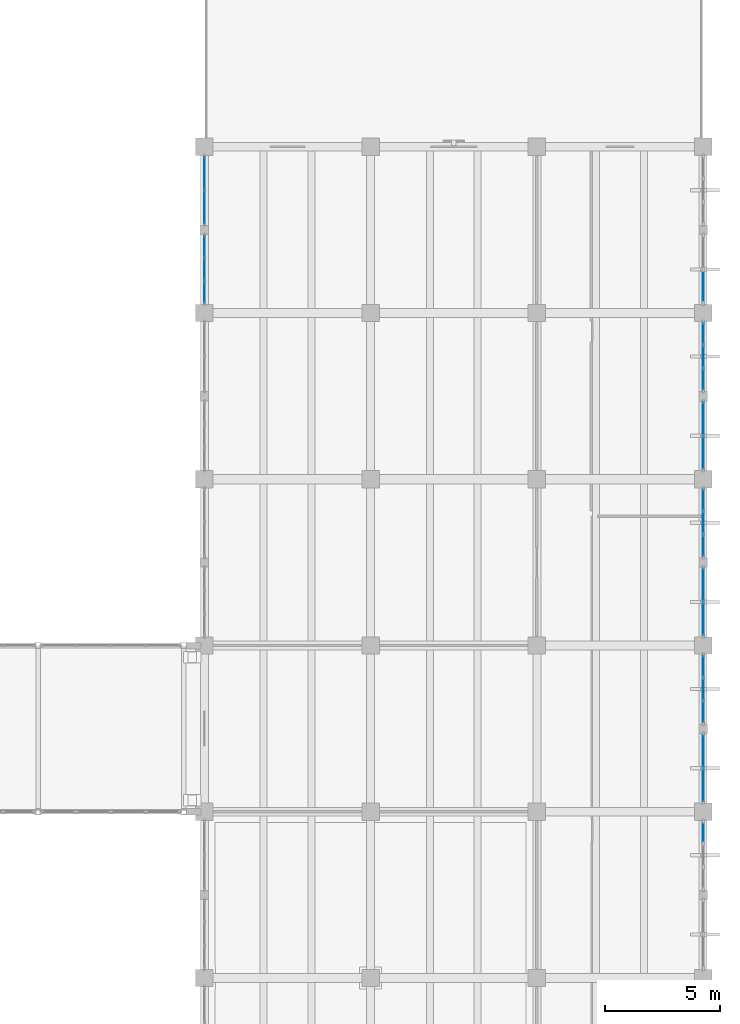
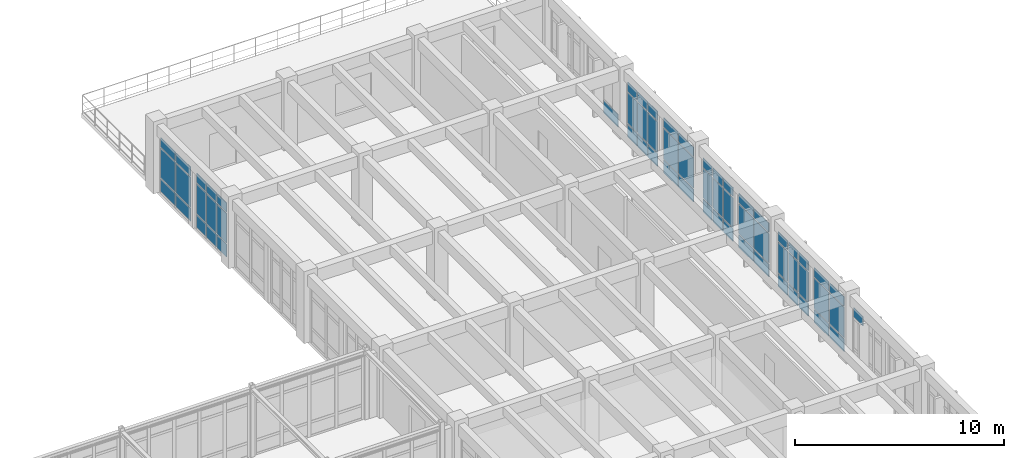
# One storey, part 92 of 136: 62 plates, 10 elements without a shape of their own.
"""IFC4 building model written with IfcOpenShell, lengths in metres."""

from ifc_helpers import new_model, si_unit, direction, frame, origin, origin_2d, place, context, subcontext, project, spatial, rectangle, extrude, material, layer, layer_set, type_object, element, aggregate, save


model = new_model("IFC4")

# Units and contexts
model_context = context("Model", 3, precision=1e-05, world=origin(), true_north=direction((0.0, 1.0)))
body_context = subcontext(model_context, "Body", "Model", "MODEL_VIEW")
ifc_project = project(units=[si_unit("LENGTHUNIT", "METRE"), si_unit("AREAUNIT", "SQUARE_METRE"), si_unit("VOLUMEUNIT", "CUBIC_METRE"), si_unit("PLANEANGLEUNIT", "RADIAN"), si_unit("MASSUNIT", "GRAM", prefix="KILO")], contexts=[model_context])

# Site, building, storey
site_placement = place(None, origin())
site = spatial("IfcSite", under=ifc_project, at=site_placement, CompositionType="ELEMENT")
building_placement = place(site_placement, origin())
building = spatial("IfcBuilding", under=site, at=building_placement, Name="Koriwan Promenade Central Fire Station", CompositionType="ELEMENT")
storey_placement = place(building_placement, frame((0.0, 0.0, 5.39990234375)))
storey = spatial("IfcBuildingStorey", under=building, at=storey_placement, Name="L01", CompositionType="ELEMENT", Elevation=5.39990234375)

# Curtain wall, plates
ifc_material_1 = material(Name="Aluminium EN AW-6063-T6 and low-E glazing", Category="aluminium")
ifc_layer_1 = layer(ifc_material_1, 0.159912109375, Name="Aluminium EN AW-6063-T6 and low-E glazing")
ifc_layer_set_1 = layer_set([ifc_layer_1], Name="Aluminium EN AW-6063-T6 and low-E glazing")
curtain_wall_type_1 = type_object("IfcCurtainWallType", Name="CurtainWall_71_303x330", PredefinedType="USERDEFINED", material=ifc_layer_set_1)
curtain_wall_1_placement = place(storey_placement, origin())
curtain_wall_1 = element("IfcCurtainWall", 1, at=curtain_wall_1_placement, inside=storey, type_object=curtain_wall_type_1, Name="V5 L01 unitised curtain wall 187", ObjectType="UNITISED CURTAIN WALL", PredefinedType="USERDEFINED")
ifc_material_2 = material(Name="Solar-control low-E acoustic glazing", Category="glass")
ifc_layer_2 = layer(ifc_material_2, 0.031982421875, Name="Solar-control low-E acoustic glazing")
ifc_layer_set_2 = layer_set([ifc_layer_2], Name="Solar-control low-E acoustic glazing")
plate_type = type_object("IfcPlateType", Name="CWPanel_32", PredefinedType="CURTAIN_PANEL", material=ifc_layer_set_2)
plate_1_placement = place(storey_placement, frame((151.199951171875, 65.697998046875, 0.0751953125), z_axis=(0.0, 0.0, 1.0), x_axis=(0.0, 1.0, 0.0)))
plate_1 = element("IfcPlate", 2, at=plate_1_placement, type_object=plate_type, Name="CW-71 panel 1.1", PredefinedType="CURTAIN_PANEL", context=body_context, shape_type="SweptSolid", body=[
    extrude(rectangle(XDim=0.895751953125, YDim=0.031982421875, at=origin_2d()), origin(), (0.0, 0.0, 1.0), 0.737548828125),
])
plate_2_placement = place(storey_placement, frame((151.199951171875, 65.697998046875, 0.887451171875), z_axis=(0.0, 0.0, 1.0), x_axis=(0.0, 1.0, 0.0)))
plate_2 = element("IfcPlate", 3, at=plate_2_placement, type_object=plate_type, Name="CW-71 panel 1.2", PredefinedType="CURTAIN_PANEL", context=body_context, shape_type="SweptSolid", body=[
    extrude(rectangle(XDim=0.895751953125, YDim=0.031982421875, at=origin_2d()), origin(), (0.0, 0.0, 1.0), 1.72509765625),
])
plate_3_placement = place(storey_placement, frame((151.199951171875, 65.697998046875, 2.6875), z_axis=(0.0, 0.0, 1.0), x_axis=(0.0, 1.0, 0.0)))
plate_3 = element("IfcPlate", 4, at=plate_3_placement, type_object=plate_type, Name="CW-71 panel 1.3", PredefinedType="CURTAIN_PANEL", context=body_context, shape_type="SweptSolid", body=[
    extrude(rectangle(XDim=0.895751953125, YDim=0.031982421875, at=origin_2d()), origin(), (0.0, 0.0, 1.0), 0.53759765625),
])
plate_4_placement = place(storey_placement, frame((151.199951171875, 66.6875, 0.0751953125), z_axis=(0.0, 0.0, 1.0), x_axis=(0.0, 1.0, 0.0)))
plate_4 = element("IfcPlate", 5, at=plate_4_placement, type_object=plate_type, Name="CW-71 panel 2.1", PredefinedType="CURTAIN_PANEL", context=body_context, shape_type="SweptSolid", body=[
    extrude(rectangle(XDim=0.933349609375, YDim=0.031982421875, at=origin_2d()), origin(), (0.0, 0.0, 1.0), 0.737548828125),
])
plate_5_placement = place(storey_placement, frame((151.199951171875, 66.6875, 0.887451171875), z_axis=(0.0, 0.0, 1.0), x_axis=(0.0, 1.0, 0.0)))
plate_5 = element("IfcPlate", 6, at=plate_5_placement, type_object=plate_type, Name="CW-71 panel 2.2", PredefinedType="CURTAIN_PANEL", context=body_context, shape_type="SweptSolid", body=[
    extrude(rectangle(XDim=0.933349609375, YDim=0.031982421875, at=origin_2d()), origin(), (0.0, 0.0, 1.0), 1.72509765625),
])
plate_6_placement = place(storey_placement, frame((151.199951171875, 66.6875, 2.6875), z_axis=(0.0, 0.0, 1.0), x_axis=(0.0, 1.0, 0.0)))
plate_6 = element("IfcPlate", 7, at=plate_6_placement, type_object=plate_type, Name="CW-71 panel 2.3", PredefinedType="CURTAIN_PANEL", context=body_context, shape_type="SweptSolid", body=[
    extrude(rectangle(XDim=0.933349609375, YDim=0.031982421875, at=origin_2d()), origin(), (0.0, 0.0, 1.0), 0.53759765625),
])
plate_7_placement = place(storey_placement, frame((151.199951171875, 67.677001953125, 0.0751953125), z_axis=(0.0, 0.0, 1.0), x_axis=(0.0, 1.0, 0.0)))
plate_7 = element("IfcPlate", 8, at=plate_7_placement, type_object=plate_type, Name="CW-71 panel 3.1", PredefinedType="CURTAIN_PANEL", context=body_context, shape_type="SweptSolid", body=[
    extrude(rectangle(XDim=0.895751953125, YDim=0.031982421875, at=origin_2d()), origin(), (0.0, 0.0, 1.0), 0.737548828125),
])
plate_8_placement = place(storey_placement, frame((151.199951171875, 67.677001953125, 0.887451171875), z_axis=(0.0, 0.0, 1.0), x_axis=(0.0, 1.0, 0.0)))
plate_8 = element("IfcPlate", 9, at=plate_8_placement, type_object=plate_type, Name="CW-71 panel 3.2", PredefinedType="CURTAIN_PANEL", context=body_context, shape_type="SweptSolid", body=[
    extrude(rectangle(XDim=0.895751953125, YDim=0.031982421875, at=origin_2d()), origin(), (0.0, 0.0, 1.0), 1.72509765625),
])
plate_9_placement = place(storey_placement, frame((151.199951171875, 67.677001953125, 2.6875), z_axis=(0.0, 0.0, 1.0), x_axis=(0.0, 1.0, 0.0)))
plate_9 = element("IfcPlate", 10, at=plate_9_placement, type_object=plate_type, Name="CW-71 panel 3.3", PredefinedType="CURTAIN_PANEL", context=body_context, shape_type="SweptSolid", body=[
    extrude(rectangle(XDim=0.895751953125, YDim=0.031982421875, at=origin_2d()), origin(), (0.0, 0.0, 1.0), 0.53759765625),
])
aggregate(curtain_wall_1, [plate_1, plate_2, plate_3, plate_4, plate_5, plate_6, plate_7, plate_8, plate_9])

ifc_layer_3 = layer(ifc_material_1, 0.159912109375, Name="Aluminium EN AW-6063-T6 and low-E glazing")
ifc_layer_set_3 = layer_set([ifc_layer_3], Name="Aluminium EN AW-6063-T6 and low-E glazing")
curtain_wall_type_2 = type_object("IfcCurtainWallType", Name="CurtainWall_72_303x330", PredefinedType="USERDEFINED", material=ifc_layer_set_3)
curtain_wall_2_placement = place(storey_placement, origin())
curtain_wall_2 = element("IfcCurtainWall", 11, at=curtain_wall_2_placement, inside=storey, type_object=curtain_wall_type_2, Name="V5 L01 unitised curtain wall 188", ObjectType="UNITISED CURTAIN WALL", PredefinedType="USERDEFINED")
plate_10_placement = place(storey_placement, frame((151.199951171875, 69.375, 0.0751953125), z_axis=(0.0, 0.0, 1.0), x_axis=(0.0, 1.0, 0.0)))
plate_10 = element("IfcPlate", 12, at=plate_10_placement, type_object=plate_type, Name="CW-72 panel 1.1", PredefinedType="CURTAIN_PANEL", context=body_context, shape_type="SweptSolid", body=[
    extrude(rectangle(XDim=1.39990234375, YDim=0.031982421875, at=origin_2d()), origin(), (0.0, 0.0, 1.0), 0.737548828125),
])
plate_11_placement = place(storey_placement, frame((151.199951171875, 69.375, 0.887451171875), z_axis=(0.0, 0.0, 1.0), x_axis=(0.0, 1.0, 0.0)))
plate_11 = element("IfcPlate", 13, at=plate_11_placement, type_object=plate_type, Name="CW-72 panel 1.2", PredefinedType="CURTAIN_PANEL", context=body_context, shape_type="SweptSolid", body=[
    extrude(rectangle(XDim=1.39990234375, YDim=0.031982421875, at=origin_2d()), origin(), (0.0, 0.0, 1.0), 1.72509765625),
])
plate_12_placement = place(storey_placement, frame((151.199951171875, 69.375, 2.6875), z_axis=(0.0, 0.0, 1.0), x_axis=(0.0, 1.0, 0.0)))
plate_12 = element("IfcPlate", 14, at=plate_12_placement, type_object=plate_type, Name="CW-72 panel 1.3", PredefinedType="CURTAIN_PANEL", context=body_context, shape_type="SweptSolid", body=[
    extrude(rectangle(XDim=1.39990234375, YDim=0.031982421875, at=origin_2d()), origin(), (0.0, 0.0, 1.0), 0.53759765625),
])
plate_13_placement = place(storey_placement, frame((151.199951171875, 70.85009765625, 0.0751953125), z_axis=(0.0, 0.0, 1.0), x_axis=(0.0, 1.0, 0.0)))
plate_13 = element("IfcPlate", 15, at=plate_13_placement, type_object=plate_type, Name="CW-72 panel 2.1", PredefinedType="CURTAIN_PANEL", context=body_context, shape_type="SweptSolid", body=[
    extrude(rectangle(XDim=1.39990234375, YDim=0.031982421875, at=origin_2d()), origin(), (0.0, 0.0, 1.0), 0.737548828125),
])
plate_14_placement = place(storey_placement, frame((151.199951171875, 70.85009765625, 0.887451171875), z_axis=(0.0, 0.0, 1.0), x_axis=(0.0, 1.0, 0.0)))
plate_14 = element("IfcPlate", 16, at=plate_14_placement, type_object=plate_type, Name="CW-72 panel 2.2", PredefinedType="CURTAIN_PANEL", context=body_context, shape_type="SweptSolid", body=[
    extrude(rectangle(XDim=1.39990234375, YDim=0.031982421875, at=origin_2d()), origin(), (0.0, 0.0, 1.0), 1.72509765625),
])
plate_15_placement = place(storey_placement, frame((151.199951171875, 70.85009765625, 2.6875), z_axis=(0.0, 0.0, 1.0), x_axis=(0.0, 1.0, 0.0)))
plate_15 = element("IfcPlate", 17, at=plate_15_placement, type_object=plate_type, Name="CW-72 panel 2.3", PredefinedType="CURTAIN_PANEL", context=body_context, shape_type="SweptSolid", body=[
    extrude(rectangle(XDim=1.39990234375, YDim=0.031982421875, at=origin_2d()), origin(), (0.0, 0.0, 1.0), 0.53759765625),
])
aggregate(curtain_wall_2, [plate_10, plate_11, plate_12, plate_13, plate_14, plate_15])

# Curtain wall, plate
curtain_wall_3_placement = place(storey_placement, origin())
curtain_wall_3 = element("IfcCurtainWall", 18, at=curtain_wall_3_placement, inside=storey, type_object=curtain_wall_type_2, Name="V5 L01 unitised curtain wall 190", ObjectType="UNITISED CURTAIN WALL", PredefinedType="USERDEFINED")
plate_16_placement = place(storey_placement, frame((172.800048828125, 65.949951171875, 0.0751953125), z_axis=(0.0, 0.0, 1.0), x_axis=(0.0, -1.0, 0.0)))
plate_16 = element("IfcPlate", 19, at=plate_16_placement, type_object=plate_type, Name="CW-72 panel 2.1", PredefinedType="CURTAIN_PANEL", context=body_context, shape_type="SweptSolid", body=[
    extrude(rectangle(XDim=1.39990234375, YDim=0.031982421875, at=origin_2d()), origin(), (0.0, 0.0, 1.0), 0.737548828125),
])
aggregate(curtain_wall_3, [plate_16])

# Curtain wall, plates
ifc_layer_4 = layer(ifc_material_1, 0.159912109375, Name="Aluminium EN AW-6063-T6 and low-E glazing")
ifc_layer_set_4 = layer_set([ifc_layer_4], Name="Aluminium EN AW-6063-T6 and low-E glazing")
curtain_wall_type_3 = type_object("IfcCurtainWallType", Name="CurtainWall_69_302x335", PredefinedType="USERDEFINED", material=ifc_layer_set_4)
curtain_wall_4_placement = place(storey_placement, origin())
curtain_wall_4 = element("IfcCurtainWall", 20, at=curtain_wall_4_placement, inside=storey, type_object=curtain_wall_type_3, Name="V5 L01 unitised curtain wall 191", ObjectType="UNITISED CURTAIN WALL", PredefinedType="USERDEFINED")
plate_17_placement = place(storey_placement, frame((172.800048828125, 63.902099609375, 0.0751953125), z_axis=(0.0, 0.0, 1.0), x_axis=(0.0, -1.0, 0.0)))
plate_17 = element("IfcPlate", 21, at=plate_17_placement, type_object=plate_type, Name="CW-69 panel 1.1", PredefinedType="CURTAIN_PANEL", context=body_context, shape_type="SweptSolid", body=[
    extrude(rectangle(XDim=0.895751953125, YDim=0.031982421875, at=origin_2d()), origin(), (0.0, 0.0, 1.0), 0.737548828125),
])
plate_18_placement = place(storey_placement, frame((172.800048828125, 63.902099609375, 0.8876953125), z_axis=(0.0, 0.0, 1.0), x_axis=(0.0, -1.0, 0.0)))
plate_18 = element("IfcPlate", 22, at=plate_18_placement, type_object=plate_type, Name="CW-69 panel 1.2", PredefinedType="CURTAIN_PANEL", context=body_context, shape_type="SweptSolid", body=[
    extrude(rectangle(XDim=0.895751953125, YDim=0.031982421875, at=origin_2d()), origin(), (0.0, 0.0, 1.0), 1.77490234375),
])
plate_19_placement = place(storey_placement, frame((172.800048828125, 63.902099609375, 2.737548828125), z_axis=(0.0, 0.0, 1.0), x_axis=(0.0, -1.0, 0.0)))
plate_19 = element("IfcPlate", 23, at=plate_19_placement, type_object=plate_type, Name="CW-69 panel 1.3", PredefinedType="CURTAIN_PANEL", context=body_context, shape_type="SweptSolid", body=[
    extrude(rectangle(XDim=0.895751953125, YDim=0.031982421875, at=origin_2d()), origin(), (0.0, 0.0, 1.0), 0.53759765625),
])
plate_20_placement = place(storey_placement, frame((172.800048828125, 62.91259765625, 0.0751953125), z_axis=(0.0, 0.0, 1.0), x_axis=(0.0, -1.0, 0.0)))
plate_20 = element("IfcPlate", 24, at=plate_20_placement, type_object=plate_type, Name="CW-69 panel 2.1", PredefinedType="CURTAIN_PANEL", context=body_context, shape_type="SweptSolid", body=[
    extrude(rectangle(XDim=0.933349609375, YDim=0.031982421875, at=origin_2d()), origin(), (0.0, 0.0, 1.0), 0.737548828125),
])
plate_21_placement = place(storey_placement, frame((172.800048828125, 62.91259765625, 0.8876953125), z_axis=(0.0, 0.0, 1.0), x_axis=(0.0, -1.0, 0.0)))
plate_21 = element("IfcPlate", 25, at=plate_21_placement, type_object=plate_type, Name="CW-69 panel 2.2", PredefinedType="CURTAIN_PANEL", context=body_context, shape_type="SweptSolid", body=[
    extrude(rectangle(XDim=0.933349609375, YDim=0.031982421875, at=origin_2d()), origin(), (0.0, 0.0, 1.0), 1.77490234375),
])
plate_22_placement = place(storey_placement, frame((172.800048828125, 62.91259765625, 2.737548828125), z_axis=(0.0, 0.0, 1.0), x_axis=(0.0, -1.0, 0.0)))
plate_22 = element("IfcPlate", 26, at=plate_22_placement, type_object=plate_type, Name="CW-69 panel 2.3", PredefinedType="CURTAIN_PANEL", context=body_context, shape_type="SweptSolid", body=[
    extrude(rectangle(XDim=0.933349609375, YDim=0.031982421875, at=origin_2d()), origin(), (0.0, 0.0, 1.0), 0.53759765625),
])
plate_23_placement = place(storey_placement, frame((172.800048828125, 61.9228515625, 0.0751953125), z_axis=(0.0, 0.0, 1.0), x_axis=(0.0, -1.0, 0.0)))
plate_23 = element("IfcPlate", 27, at=plate_23_placement, type_object=plate_type, Name="CW-69 panel 3.1", PredefinedType="CURTAIN_PANEL", context=body_context, shape_type="SweptSolid", body=[
    extrude(rectangle(XDim=0.895751953125, YDim=0.031982421875, at=origin_2d()), origin(), (0.0, 0.0, 1.0), 0.737548828125),
])
plate_24_placement = place(storey_placement, frame((172.800048828125, 61.9228515625, 0.8876953125), z_axis=(0.0, 0.0, 1.0), x_axis=(0.0, -1.0, 0.0)))
plate_24 = element("IfcPlate", 28, at=plate_24_placement, type_object=plate_type, Name="CW-69 panel 3.2", PredefinedType="CURTAIN_PANEL", context=body_context, shape_type="SweptSolid", body=[
    extrude(rectangle(XDim=0.895751953125, YDim=0.031982421875, at=origin_2d()), origin(), (0.0, 0.0, 1.0), 1.77490234375),
])
plate_25_placement = place(storey_placement, frame((172.800048828125, 61.9228515625, 2.737548828125), z_axis=(0.0, 0.0, 1.0), x_axis=(0.0, -1.0, 0.0)))
plate_25 = element("IfcPlate", 29, at=plate_25_placement, type_object=plate_type, Name="CW-69 panel 3.3", PredefinedType="CURTAIN_PANEL", context=body_context, shape_type="SweptSolid", body=[
    extrude(rectangle(XDim=0.895751953125, YDim=0.031982421875, at=origin_2d()), origin(), (0.0, 0.0, 1.0), 0.53759765625),
])
aggregate(curtain_wall_4, [plate_17, plate_18, plate_19, plate_20, plate_21, plate_22, plate_23, plate_24, plate_25])

ifc_layer_5 = layer(ifc_material_1, 0.159912109375, Name="Aluminium EN AW-6063-T6 and low-E glazing")
ifc_layer_set_5 = layer_set([ifc_layer_5], Name="Aluminium EN AW-6063-T6 and low-E glazing")
curtain_wall_type_4 = type_object("IfcCurtainWallType", Name="CurtainWall_70_302x335", PredefinedType="USERDEFINED", material=ifc_layer_set_5)
curtain_wall_5_placement = place(storey_placement, origin())
curtain_wall_5 = element("IfcCurtainWall", 30, at=curtain_wall_5_placement, inside=storey, type_object=curtain_wall_type_4, Name="V5 L01 unitised curtain wall 192", ObjectType="UNITISED CURTAIN WALL", PredefinedType="USERDEFINED")
plate_26_placement = place(storey_placement, frame((172.800048828125, 60.22509765625, 0.0751953125), z_axis=(0.0, 0.0, 1.0), x_axis=(0.0, -1.0, 0.0)))
plate_26 = element("IfcPlate", 31, at=plate_26_placement, type_object=plate_type, Name="CW-70 panel 1.1", PredefinedType="CURTAIN_PANEL", context=body_context, shape_type="SweptSolid", body=[
    extrude(rectangle(XDim=1.39990234375, YDim=0.031982421875, at=origin_2d()), origin(), (0.0, 0.0, 1.0), 0.737548828125),
])
plate_27_placement = place(storey_placement, frame((172.800048828125, 60.22509765625, 0.8876953125), z_axis=(0.0, 0.0, 1.0), x_axis=(0.0, -1.0, 0.0)))
plate_27 = element("IfcPlate", 32, at=plate_27_placement, type_object=plate_type, Name="CW-70 panel 1.2", PredefinedType="CURTAIN_PANEL", context=body_context, shape_type="SweptSolid", body=[
    extrude(rectangle(XDim=1.39990234375, YDim=0.031982421875, at=origin_2d()), origin(), (0.0, 0.0, 1.0), 1.77490234375),
])
plate_28_placement = place(storey_placement, frame((172.800048828125, 60.22509765625, 2.737548828125), z_axis=(0.0, 0.0, 1.0), x_axis=(0.0, -1.0, 0.0)))
plate_28 = element("IfcPlate", 33, at=plate_28_placement, type_object=plate_type, Name="CW-70 panel 1.3", PredefinedType="CURTAIN_PANEL", context=body_context, shape_type="SweptSolid", body=[
    extrude(rectangle(XDim=1.39990234375, YDim=0.031982421875, at=origin_2d()), origin(), (0.0, 0.0, 1.0), 0.53759765625),
])
plate_29_placement = place(storey_placement, frame((172.800048828125, 58.75, 0.0751953125), z_axis=(0.0, 0.0, 1.0), x_axis=(0.0, -1.0, 0.0)))
plate_29 = element("IfcPlate", 34, at=plate_29_placement, type_object=plate_type, Name="CW-70 panel 2.1", PredefinedType="CURTAIN_PANEL", context=body_context, shape_type="SweptSolid", body=[
    extrude(rectangle(XDim=1.39990234375, YDim=0.031982421875, at=origin_2d()), origin(), (0.0, 0.0, 1.0), 0.737548828125),
])
plate_30_placement = place(storey_placement, frame((172.800048828125, 58.75, 0.8876953125), z_axis=(0.0, 0.0, 1.0), x_axis=(0.0, -1.0, 0.0)))
plate_30 = element("IfcPlate", 35, at=plate_30_placement, type_object=plate_type, Name="CW-70 panel 2.2", PredefinedType="CURTAIN_PANEL", context=body_context, shape_type="SweptSolid", body=[
    extrude(rectangle(XDim=1.39990234375, YDim=0.031982421875, at=origin_2d()), origin(), (0.0, 0.0, 1.0), 1.77490234375),
])
plate_31_placement = place(storey_placement, frame((172.800048828125, 58.75, 2.737548828125), z_axis=(0.0, 0.0, 1.0), x_axis=(0.0, -1.0, 0.0)))
plate_31 = element("IfcPlate", 36, at=plate_31_placement, type_object=plate_type, Name="CW-70 panel 2.3", PredefinedType="CURTAIN_PANEL", context=body_context, shape_type="SweptSolid", body=[
    extrude(rectangle(XDim=1.39990234375, YDim=0.031982421875, at=origin_2d()), origin(), (0.0, 0.0, 1.0), 0.53759765625),
])
aggregate(curtain_wall_5, [plate_26, plate_27, plate_28, plate_29, plate_30, plate_31])

ifc_layer_6 = layer(ifc_material_1, 0.159912109375, Name="Aluminium EN AW-6063-T6 and low-E glazing")
ifc_layer_set_6 = layer_set([ifc_layer_6], Name="Aluminium EN AW-6063-T6 and low-E glazing")
curtain_wall_type_5 = type_object("IfcCurtainWallType", Name="CurtainWall_62_302x329", PredefinedType="USERDEFINED", material=ifc_layer_set_6)
curtain_wall_6_placement = place(storey_placement, origin())
curtain_wall_6 = element("IfcCurtainWall", 37, at=curtain_wall_6_placement, inside=storey, type_object=curtain_wall_type_5, Name="V5 L01 unitised curtain wall 193", ObjectType="UNITISED CURTAIN WALL", PredefinedType="USERDEFINED")
plate_32_placement = place(storey_placement, frame((172.800048828125, 56.7021484375, 0.0751953125), z_axis=(0.0, 0.0, 1.0), x_axis=(0.0, -1.0, 0.0)))
plate_32 = element("IfcPlate", 38, at=plate_32_placement, type_object=plate_type, Name="CW-62 panel 1.1", PredefinedType="CURTAIN_PANEL", context=body_context, shape_type="SweptSolid", body=[
    extrude(rectangle(XDim=0.895751953125, YDim=0.031982421875, at=origin_2d()), origin(), (0.0, 0.0, 1.0), 0.737548828125),
])
plate_33_placement = place(storey_placement, frame((172.800048828125, 56.7021484375, 0.8876953125), z_axis=(0.0, 0.0, 1.0), x_axis=(0.0, -1.0, 0.0)))
plate_33 = element("IfcPlate", 39, at=plate_33_placement, type_object=plate_type, Name="CW-62 panel 1.2", PredefinedType="CURTAIN_PANEL", context=body_context, shape_type="SweptSolid", body=[
    extrude(rectangle(XDim=0.895751953125, YDim=0.031982421875, at=origin_2d()), origin(), (0.0, 0.0, 1.0), 1.715087890625),
])
plate_34_placement = place(storey_placement, frame((172.800048828125, 56.7021484375, 2.677490234375), z_axis=(0.0, 0.0, 1.0), x_axis=(0.0, -1.0, 0.0)))
plate_34 = element("IfcPlate", 40, at=plate_34_placement, type_object=plate_type, Name="CW-62 panel 1.3", PredefinedType="CURTAIN_PANEL", context=body_context, shape_type="SweptSolid", body=[
    extrude(rectangle(XDim=0.895751953125, YDim=0.031982421875, at=origin_2d()), origin(), (0.0, 0.0, 1.0), 0.53759765625),
])
plate_35_placement = place(storey_placement, frame((172.800048828125, 55.71240234375, 0.0751953125), z_axis=(0.0, 0.0, 1.0), x_axis=(0.0, -1.0, 0.0)))
plate_35 = element("IfcPlate", 41, at=plate_35_placement, type_object=plate_type, Name="CW-62 panel 2.1", PredefinedType="CURTAIN_PANEL", context=body_context, shape_type="SweptSolid", body=[
    extrude(rectangle(XDim=0.933349609375, YDim=0.031982421875, at=origin_2d()), origin(), (0.0, 0.0, 1.0), 0.737548828125),
])
plate_36_placement = place(storey_placement, frame((172.800048828125, 55.71240234375, 0.8876953125), z_axis=(0.0, 0.0, 1.0), x_axis=(0.0, -1.0, 0.0)))
plate_36 = element("IfcPlate", 42, at=plate_36_placement, type_object=plate_type, Name="CW-62 panel 2.2", PredefinedType="CURTAIN_PANEL", context=body_context, shape_type="SweptSolid", body=[
    extrude(rectangle(XDim=0.933349609375, YDim=0.031982421875, at=origin_2d()), origin(), (0.0, 0.0, 1.0), 1.715087890625),
])
plate_37_placement = place(storey_placement, frame((172.800048828125, 55.71240234375, 2.677490234375), z_axis=(0.0, 0.0, 1.0), x_axis=(0.0, -1.0, 0.0)))
plate_37 = element("IfcPlate", 43, at=plate_37_placement, type_object=plate_type, Name="CW-62 panel 2.3", PredefinedType="CURTAIN_PANEL", context=body_context, shape_type="SweptSolid", body=[
    extrude(rectangle(XDim=0.933349609375, YDim=0.031982421875, at=origin_2d()), origin(), (0.0, 0.0, 1.0), 0.53759765625),
])
plate_38_placement = place(storey_placement, frame((172.800048828125, 54.722900390625, 0.0751953125), z_axis=(0.0, 0.0, 1.0), x_axis=(0.0, -1.0, 0.0)))
plate_38 = element("IfcPlate", 44, at=plate_38_placement, type_object=plate_type, Name="CW-62 panel 3.1", PredefinedType="CURTAIN_PANEL", context=body_context, shape_type="SweptSolid", body=[
    extrude(rectangle(XDim=0.895751953125, YDim=0.031982421875, at=origin_2d()), origin(), (0.0, 0.0, 1.0), 0.737548828125),
])
plate_39_placement = place(storey_placement, frame((172.800048828125, 54.722900390625, 0.8876953125), z_axis=(0.0, 0.0, 1.0), x_axis=(0.0, -1.0, 0.0)))
plate_39 = element("IfcPlate", 45, at=plate_39_placement, type_object=plate_type, Name="CW-62 panel 3.2", PredefinedType="CURTAIN_PANEL", context=body_context, shape_type="SweptSolid", body=[
    extrude(rectangle(XDim=0.895751953125, YDim=0.031982421875, at=origin_2d()), origin(), (0.0, 0.0, 1.0), 1.715087890625),
])
plate_40_placement = place(storey_placement, frame((172.800048828125, 54.722900390625, 2.677490234375), z_axis=(0.0, 0.0, 1.0), x_axis=(0.0, -1.0, 0.0)))
plate_40 = element("IfcPlate", 46, at=plate_40_placement, type_object=plate_type, Name="CW-62 panel 3.3", PredefinedType="CURTAIN_PANEL", context=body_context, shape_type="SweptSolid", body=[
    extrude(rectangle(XDim=0.895751953125, YDim=0.031982421875, at=origin_2d()), origin(), (0.0, 0.0, 1.0), 0.53759765625),
])
aggregate(curtain_wall_6, [plate_32, plate_33, plate_34, plate_35, plate_36, plate_37, plate_38, plate_39, plate_40])

ifc_layer_7 = layer(ifc_material_1, 0.159912109375, Name="Aluminium EN AW-6063-T6 and low-E glazing")
ifc_layer_set_7 = layer_set([ifc_layer_7], Name="Aluminium EN AW-6063-T6 and low-E glazing")
curtain_wall_type_6 = type_object("IfcCurtainWallType", Name="CurtainWall_07_302x329", PredefinedType="USERDEFINED", material=ifc_layer_set_7)
curtain_wall_7_placement = place(storey_placement, origin())
curtain_wall_7 = element("IfcCurtainWall", 47, at=curtain_wall_7_placement, inside=storey, type_object=curtain_wall_type_6, Name="V5 L01 unitised curtain wall 194", ObjectType="UNITISED CURTAIN WALL", PredefinedType="USERDEFINED")
plate_41_placement = place(storey_placement, frame((172.800048828125, 53.02490234375, 0.0751953125), z_axis=(0.0, 0.0, 1.0), x_axis=(0.0, -1.0, 0.0)))
plate_41 = element("IfcPlate", 48, at=plate_41_placement, type_object=plate_type, Name="CW-07 panel 1.1", PredefinedType="CURTAIN_PANEL", context=body_context, shape_type="SweptSolid", body=[
    extrude(rectangle(XDim=1.39990234375, YDim=0.031982421875, at=origin_2d()), origin(), (0.0, 0.0, 1.0), 0.737548828125),
])
plate_42_placement = place(storey_placement, frame((172.800048828125, 53.02490234375, 0.8876953125), z_axis=(0.0, 0.0, 1.0), x_axis=(0.0, -1.0, 0.0)))
plate_42 = element("IfcPlate", 49, at=plate_42_placement, type_object=plate_type, Name="CW-07 panel 1.2", PredefinedType="CURTAIN_PANEL", context=body_context, shape_type="SweptSolid", body=[
    extrude(rectangle(XDim=1.39990234375, YDim=0.031982421875, at=origin_2d()), origin(), (0.0, 0.0, 1.0), 1.715087890625),
])
plate_43_placement = place(storey_placement, frame((172.800048828125, 53.02490234375, 2.677490234375), z_axis=(0.0, 0.0, 1.0), x_axis=(0.0, -1.0, 0.0)))
plate_43 = element("IfcPlate", 50, at=plate_43_placement, type_object=plate_type, Name="CW-07 panel 1.3", PredefinedType="CURTAIN_PANEL", context=body_context, shape_type="SweptSolid", body=[
    extrude(rectangle(XDim=1.39990234375, YDim=0.031982421875, at=origin_2d()), origin(), (0.0, 0.0, 1.0), 0.53759765625),
])
plate_44_placement = place(storey_placement, frame((172.800048828125, 51.550048828125, 0.0751953125), z_axis=(0.0, 0.0, 1.0), x_axis=(0.0, -1.0, 0.0)))
plate_44 = element("IfcPlate", 51, at=plate_44_placement, type_object=plate_type, Name="CW-07 panel 2.1", PredefinedType="CURTAIN_PANEL", context=body_context, shape_type="SweptSolid", body=[
    extrude(rectangle(XDim=1.39990234375, YDim=0.031982421875, at=origin_2d()), origin(), (0.0, 0.0, 1.0), 0.737548828125),
])
plate_45_placement = place(storey_placement, frame((172.800048828125, 51.550048828125, 0.8876953125), z_axis=(0.0, 0.0, 1.0), x_axis=(0.0, -1.0, 0.0)))
plate_45 = element("IfcPlate", 52, at=plate_45_placement, type_object=plate_type, Name="CW-07 panel 2.2", PredefinedType="CURTAIN_PANEL", context=body_context, shape_type="SweptSolid", body=[
    extrude(rectangle(XDim=1.39990234375, YDim=0.031982421875, at=origin_2d()), origin(), (0.0, 0.0, 1.0), 1.715087890625),
])
plate_46_placement = place(storey_placement, frame((172.800048828125, 51.550048828125, 2.677490234375), z_axis=(0.0, 0.0, 1.0), x_axis=(0.0, -1.0, 0.0)))
plate_46 = element("IfcPlate", 53, at=plate_46_placement, type_object=plate_type, Name="CW-07 panel 2.3", PredefinedType="CURTAIN_PANEL", context=body_context, shape_type="SweptSolid", body=[
    extrude(rectangle(XDim=1.39990234375, YDim=0.031982421875, at=origin_2d()), origin(), (0.0, 0.0, 1.0), 0.53759765625),
])
aggregate(curtain_wall_7, [plate_41, plate_42, plate_43, plate_44, plate_45, plate_46])

ifc_layer_8 = layer(ifc_material_1, 0.159912109375, Name="Aluminium EN AW-6063-T6 and low-E glazing")
ifc_layer_set_8 = layer_set([ifc_layer_8], Name="Aluminium EN AW-6063-T6 and low-E glazing")
curtain_wall_type_7 = type_object("IfcCurtainWallType", Name="CurtainWall_63_302x334", PredefinedType="USERDEFINED", material=ifc_layer_set_8)
curtain_wall_8_placement = place(storey_placement, origin())
curtain_wall_8 = element("IfcCurtainWall", 54, at=curtain_wall_8_placement, inside=storey, type_object=curtain_wall_type_7, Name="V5 L01 unitised curtain wall 195", ObjectType="UNITISED CURTAIN WALL", PredefinedType="USERDEFINED")
plate_47_placement = place(storey_placement, frame((172.800048828125, 49.502197265625, 0.0751953125), z_axis=(0.0, 0.0, 1.0), x_axis=(0.0, -1.0, 0.0)))
plate_47 = element("IfcPlate", 55, at=plate_47_placement, type_object=plate_type, Name="CW-63 panel 1.1", PredefinedType="CURTAIN_PANEL", context=body_context, shape_type="SweptSolid", body=[
    extrude(rectangle(XDim=0.895751953125, YDim=0.031982421875, at=origin_2d()), origin(), (0.0, 0.0, 1.0), 0.737548828125),
])
plate_48_placement = place(storey_placement, frame((172.800048828125, 49.502197265625, 0.8876953125), z_axis=(0.0, 0.0, 1.0), x_axis=(0.0, -1.0, 0.0)))
plate_48 = element("IfcPlate", 56, at=plate_48_placement, type_object=plate_type, Name="CW-63 panel 1.2", PredefinedType="CURTAIN_PANEL", context=body_context, shape_type="SweptSolid", body=[
    extrude(rectangle(XDim=0.895751953125, YDim=0.031982421875, at=origin_2d()), origin(), (0.0, 0.0, 1.0), 1.764892578125),
])
plate_49_placement = place(storey_placement, frame((172.800048828125, 49.502197265625, 2.7275390625), z_axis=(0.0, 0.0, 1.0), x_axis=(0.0, -1.0, 0.0)))
plate_49 = element("IfcPlate", 57, at=plate_49_placement, type_object=plate_type, Name="CW-63 panel 1.3", PredefinedType="CURTAIN_PANEL", context=body_context, shape_type="SweptSolid", body=[
    extrude(rectangle(XDim=0.895751953125, YDim=0.031982421875, at=origin_2d()), origin(), (0.0, 0.0, 1.0), 0.53759765625),
])
plate_50_placement = place(storey_placement, frame((172.800048828125, 48.512451171875, 0.0751953125), z_axis=(0.0, 0.0, 1.0), x_axis=(0.0, -1.0, 0.0)))
plate_50 = element("IfcPlate", 58, at=plate_50_placement, type_object=plate_type, Name="CW-63 panel 2.1", PredefinedType="CURTAIN_PANEL", context=body_context, shape_type="SweptSolid", body=[
    extrude(rectangle(XDim=0.933349609375, YDim=0.031982421875, at=origin_2d()), origin(), (0.0, 0.0, 1.0), 0.737548828125),
])
plate_51_placement = place(storey_placement, frame((172.800048828125, 48.512451171875, 0.8876953125), z_axis=(0.0, 0.0, 1.0), x_axis=(0.0, -1.0, 0.0)))
plate_51 = element("IfcPlate", 59, at=plate_51_placement, type_object=plate_type, Name="CW-63 panel 2.2", PredefinedType="CURTAIN_PANEL", context=body_context, shape_type="SweptSolid", body=[
    extrude(rectangle(XDim=0.933349609375, YDim=0.031982421875, at=origin_2d()), origin(), (0.0, 0.0, 1.0), 1.764892578125),
])
plate_52_placement = place(storey_placement, frame((172.800048828125, 48.512451171875, 2.7275390625), z_axis=(0.0, 0.0, 1.0), x_axis=(0.0, -1.0, 0.0)))
plate_52 = element("IfcPlate", 60, at=plate_52_placement, type_object=plate_type, Name="CW-63 panel 2.3", PredefinedType="CURTAIN_PANEL", context=body_context, shape_type="SweptSolid", body=[
    extrude(rectangle(XDim=0.933349609375, YDim=0.031982421875, at=origin_2d()), origin(), (0.0, 0.0, 1.0), 0.53759765625),
])
plate_53_placement = place(storey_placement, frame((172.800048828125, 47.52294921875, 0.0751953125), z_axis=(0.0, 0.0, 1.0), x_axis=(0.0, -1.0, 0.0)))
plate_53 = element("IfcPlate", 61, at=plate_53_placement, type_object=plate_type, Name="CW-63 panel 3.1", PredefinedType="CURTAIN_PANEL", context=body_context, shape_type="SweptSolid", body=[
    extrude(rectangle(XDim=0.895751953125, YDim=0.031982421875, at=origin_2d()), origin(), (0.0, 0.0, 1.0), 0.737548828125),
])
plate_54_placement = place(storey_placement, frame((172.800048828125, 47.52294921875, 0.8876953125), z_axis=(0.0, 0.0, 1.0), x_axis=(0.0, -1.0, 0.0)))
plate_54 = element("IfcPlate", 62, at=plate_54_placement, type_object=plate_type, Name="CW-63 panel 3.2", PredefinedType="CURTAIN_PANEL", context=body_context, shape_type="SweptSolid", body=[
    extrude(rectangle(XDim=0.895751953125, YDim=0.031982421875, at=origin_2d()), origin(), (0.0, 0.0, 1.0), 1.764892578125),
])
plate_55_placement = place(storey_placement, frame((172.800048828125, 47.52294921875, 2.7275390625), z_axis=(0.0, 0.0, 1.0), x_axis=(0.0, -1.0, 0.0)))
plate_55 = element("IfcPlate", 63, at=plate_55_placement, type_object=plate_type, Name="CW-63 panel 3.3", PredefinedType="CURTAIN_PANEL", context=body_context, shape_type="SweptSolid", body=[
    extrude(rectangle(XDim=0.895751953125, YDim=0.031982421875, at=origin_2d()), origin(), (0.0, 0.0, 1.0), 0.53759765625),
])
aggregate(curtain_wall_8, [plate_47, plate_48, plate_49, plate_50, plate_51, plate_52, plate_53, plate_54, plate_55])

ifc_layer_9 = layer(ifc_material_1, 0.159912109375, Name="Aluminium EN AW-6063-T6 and low-E glazing")
ifc_layer_set_9 = layer_set([ifc_layer_9], Name="Aluminium EN AW-6063-T6 and low-E glazing")
curtain_wall_type_8 = type_object("IfcCurtainWallType", Name="CurtainWall_68_302x334", PredefinedType="USERDEFINED", material=ifc_layer_set_9)
curtain_wall_9_placement = place(storey_placement, origin())
curtain_wall_9 = element("IfcCurtainWall", 64, at=curtain_wall_9_placement, inside=storey, type_object=curtain_wall_type_8, Name="V5 L01 unitised curtain wall 196", ObjectType="UNITISED CURTAIN WALL", PredefinedType="USERDEFINED")
plate_56_placement = place(storey_placement, frame((172.800048828125, 45.824951171875, 0.0751953125), z_axis=(0.0, 0.0, 1.0), x_axis=(0.0, -1.0, 0.0)))
plate_56 = element("IfcPlate", 65, at=plate_56_placement, type_object=plate_type, Name="CW-68 panel 1.1", PredefinedType="CURTAIN_PANEL", context=body_context, shape_type="SweptSolid", body=[
    extrude(rectangle(XDim=1.39990234375, YDim=0.031982421875, at=origin_2d()), origin(), (0.0, 0.0, 1.0), 0.737548828125),
])
plate_57_placement = place(storey_placement, frame((172.800048828125, 45.824951171875, 0.8876953125), z_axis=(0.0, 0.0, 1.0), x_axis=(0.0, -1.0, 0.0)))
plate_57 = element("IfcPlate", 66, at=plate_57_placement, type_object=plate_type, Name="CW-68 panel 1.2", PredefinedType="CURTAIN_PANEL", context=body_context, shape_type="SweptSolid", body=[
    extrude(rectangle(XDim=1.39990234375, YDim=0.031982421875, at=origin_2d()), origin(), (0.0, 0.0, 1.0), 1.764892578125),
])
plate_58_placement = place(storey_placement, frame((172.800048828125, 45.824951171875, 2.7275390625), z_axis=(0.0, 0.0, 1.0), x_axis=(0.0, -1.0, 0.0)))
plate_58 = element("IfcPlate", 67, at=plate_58_placement, type_object=plate_type, Name="CW-68 panel 1.3", PredefinedType="CURTAIN_PANEL", context=body_context, shape_type="SweptSolid", body=[
    extrude(rectangle(XDim=1.39990234375, YDim=0.031982421875, at=origin_2d()), origin(), (0.0, 0.0, 1.0), 0.53759765625),
])
plate_59_placement = place(storey_placement, frame((172.800048828125, 44.35009765625, 0.0751953125), z_axis=(0.0, 0.0, 1.0), x_axis=(0.0, -1.0, 0.0)))
plate_59 = element("IfcPlate", 68, at=plate_59_placement, type_object=plate_type, Name="CW-68 panel 2.1", PredefinedType="CURTAIN_PANEL", context=body_context, shape_type="SweptSolid", body=[
    extrude(rectangle(XDim=1.39990234375, YDim=0.031982421875, at=origin_2d()), origin(), (0.0, 0.0, 1.0), 0.737548828125),
])
plate_60_placement = place(storey_placement, frame((172.800048828125, 44.35009765625, 0.8876953125), z_axis=(0.0, 0.0, 1.0), x_axis=(0.0, -1.0, 0.0)))
plate_60 = element("IfcPlate", 69, at=plate_60_placement, type_object=plate_type, Name="CW-68 panel 2.2", PredefinedType="CURTAIN_PANEL", context=body_context, shape_type="SweptSolid", body=[
    extrude(rectangle(XDim=1.39990234375, YDim=0.031982421875, at=origin_2d()), origin(), (0.0, 0.0, 1.0), 1.764892578125),
])
plate_61_placement = place(storey_placement, frame((172.800048828125, 44.35009765625, 2.7275390625), z_axis=(0.0, 0.0, 1.0), x_axis=(0.0, -1.0, 0.0)))
plate_61 = element("IfcPlate", 70, at=plate_61_placement, type_object=plate_type, Name="CW-68 panel 2.3", PredefinedType="CURTAIN_PANEL", context=body_context, shape_type="SweptSolid", body=[
    extrude(rectangle(XDim=1.39990234375, YDim=0.031982421875, at=origin_2d()), origin(), (0.0, 0.0, 1.0), 0.53759765625),
])
aggregate(curtain_wall_9, [plate_56, plate_57, plate_58, plate_59, plate_60, plate_61])

# Curtain wall, plate
ifc_layer_10 = layer(ifc_material_1, 0.159912109375, Name="Aluminium EN AW-6063-T6 and low-E glazing")
ifc_layer_set_10 = layer_set([ifc_layer_10], Name="Aluminium EN AW-6063-T6 and low-E glazing")
curtain_wall_type_9 = type_object("IfcCurtainWallType", Name="CurtainWall_61_303x329", PredefinedType="USERDEFINED", material=ifc_layer_set_10)
curtain_wall_10_placement = place(storey_placement, origin())
curtain_wall_10 = element("IfcCurtainWall", 71, at=curtain_wall_10_placement, inside=storey, type_object=curtain_wall_type_9, Name="V5 L01 unitised curtain wall 197", ObjectType="UNITISED CURTAIN WALL", PredefinedType="USERDEFINED")
plate_62_placement = place(storey_placement, frame((172.800048828125, 42.302001953125, 2.677490234375), z_axis=(0.0, 0.0, 1.0), x_axis=(0.0, -1.0, 0.0)))
plate_62 = element("IfcPlate", 72, at=plate_62_placement, type_object=plate_type, Name="CW-61 panel 1.3", PredefinedType="CURTAIN_PANEL", context=body_context, shape_type="SweptSolid", body=[
    extrude(rectangle(XDim=0.895751953125, YDim=0.031982421875, at=origin_2d()), origin(), (0.0, 0.0, 1.0), 0.53759765625),
])
aggregate(curtain_wall_10, [plate_62])

save(model, "model.ifc")
